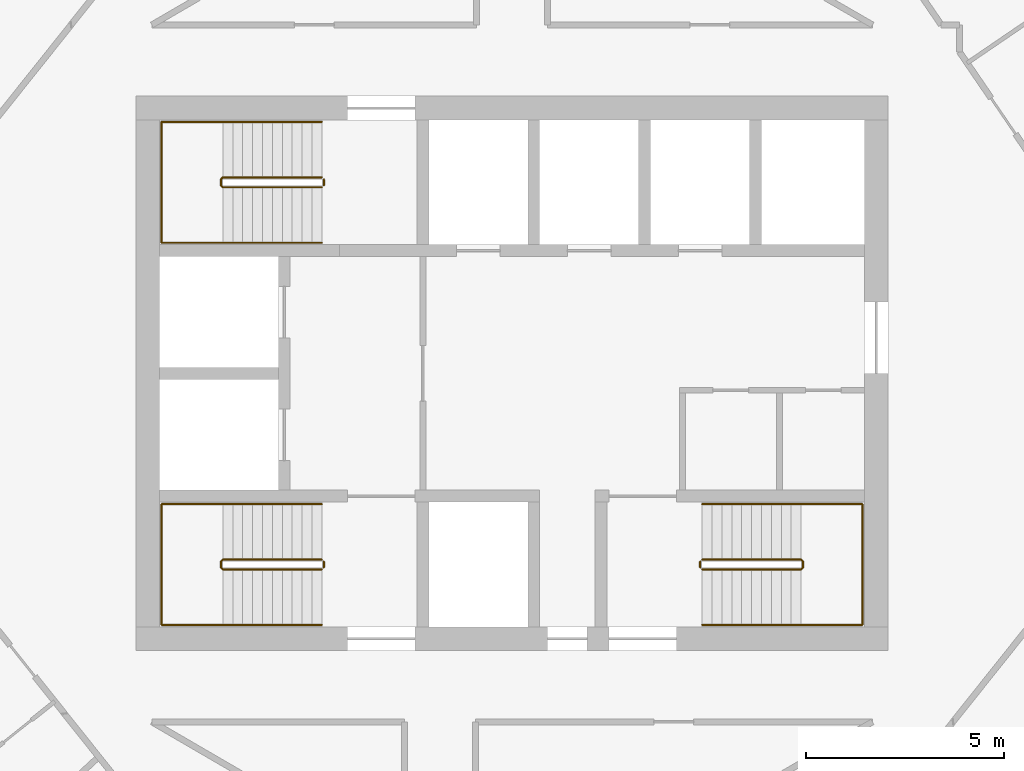
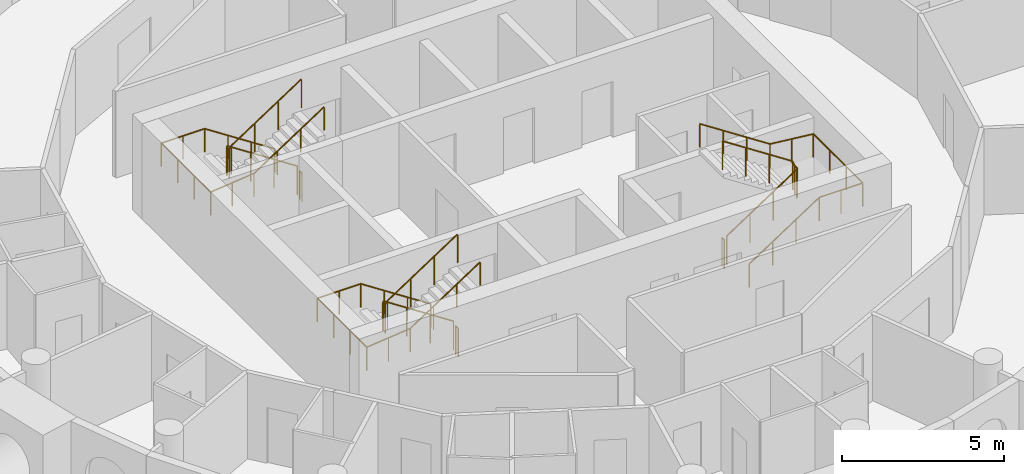
# One storey, part 12 of 12: 9 railings.
"""IFC4 building model written with IfcOpenShell, lengths in metres."""

from ifc_helpers import new_model, si_unit, direction, frame, origin, origin_2d, place, context, subcontext, project, spatial, circle, extrude, material, type_object, element, save


model = new_model("IFC4")

# Units and contexts
model_context = context("Model", 3, precision=1e-05, world=origin(), true_north=direction((0.0, 1.0)))
body_context = subcontext(model_context, "Body", "Model", "MODEL_VIEW")
ifc_project = project(units=[si_unit("LENGTHUNIT", "METRE"), si_unit("AREAUNIT", "SQUARE_METRE"), si_unit("VOLUMEUNIT", "CUBIC_METRE"), si_unit("PLANEANGLEUNIT", "RADIAN"), si_unit("MASSUNIT", "GRAM", prefix="KILO")], contexts=[model_context])

# Site, building, storey
site_placement = place(None, origin())
site = spatial("IfcSite", under=ifc_project, at=site_placement, CompositionType="ELEMENT")
building_placement = place(site_placement, origin())
building = spatial("IfcBuilding", under=site, at=building_placement, Name="Tracery Tower", CompositionType="ELEMENT")
storey_placement = place(building_placement, frame((0.0, 0.0, 283.800048828125)))
storey = spatial("IfcBuildingStorey", under=building, at=storey_placement, Name="L73", CompositionType="ELEMENT", Elevation=283.800048828125)

# Railings
ifc_material_1 = material(Name="Stainless steel and laminated glass", Category="steel")
railing_type_1 = type_object("IfcRailingType", Name="Stair guard 1100", PredefinedType="GUARDRAIL", material=ifc_material_1)
railing_1_placement = place(storey_placement, frame((-4.800048828125, -4.699951171875, 0.16357421875)))
element("IfcRailing", 1, at=railing_1_placement, inside=storey, type_object=railing_type_1, Name="L73 stair ST1 guard 1", PredefinedType="GUARDRAIL", context=body_context, shape_type="SweptSolid", body=[
    extrude(circle(Radius=0.02392578125, at=origin_2d()), frame((0.0, 0.0, 1.076171875), z_axis=(-0.83668449804, 0.0, 0.54768517484), x_axis=(0.0, -1.0, 0.0)), (0.0, 0.0, 1.0), 2.988037109375),
    extrude(circle(Radius=0.02392578125, at=origin_2d()), frame((-2.5, 0.0, 2.71240234375), z_axis=(-0.707106781187, -0.707106781187, 0.0), x_axis=(0.707106781187, -0.707106781187, 0.0)), (0.0, 0.0, 1.0), 0.07080078125),
    extrude(circle(Radius=0.02392578125, at=origin_2d()), frame((-2.550048828125, -0.050048828125, 2.71240234375), z_axis=(0.0, -1.0, 0.0), x_axis=(1.0, 0.0, 0.0)), (0.0, 0.0, 1.0), 0.14990234375),
    extrude(circle(Radius=0.02392578125, at=origin_2d()), frame((-2.550048828125, -0.199951171875, 2.71240234375), z_axis=(0.280808744504, -0.280808744504, 0.917765164963), x_axis=(0.707106781187, 0.707106781187, 0.0)), (0.0, 0.0, 1.0), 0.17822265625),
    extrude(circle(Radius=0.02392578125, at=origin_2d()), frame((-2.5, -0.25, 2.8759765625), z_axis=(0.836721939367, 0.0, 0.547627972425), x_axis=(0.0, 1.0, 0.0)), (0.0, 0.0, 1.0), 2.98779296875),
    extrude(circle(Radius=0.02099609375, at=origin_2d()), origin(), (0.0, 0.0, 1.0), 1.052001953125),
    extrude(circle(Radius=0.02099609375, at=origin_2d()), frame((-0.833251953125, 0.0, 0.54541015625)), (0.0, 0.0, 1.0), 1.052001953125),
    extrude(circle(Radius=0.02099609375, at=origin_2d()), frame((-1.666748046875, 0.0, 1.091064453125)), (0.0, 0.0, 1.0), 1.052001953125),
    extrude(circle(Radius=0.02099609375, at=origin_2d()), frame((-2.5, 0.0, 1.636474609375)), (0.0, 0.0, 1.0), 1.052001953125),
    extrude(circle(Radius=0.02099609375, at=origin_2d()), frame((-2.550048828125, -0.050048828125, 1.636474609375)), (0.0, 0.0, 1.0), 1.052001953125),
    extrude(circle(Radius=0.02099609375, at=origin_2d()), frame((-2.550048828125, -0.199951171875, 1.636474609375)), (0.0, 0.0, 1.0), 1.052001953125),
    extrude(circle(Radius=0.02099609375, at=origin_2d()), frame((-2.5, -0.25, 1.800048828125)), (0.0, 0.0, 1.0), 1.052001953125),
    extrude(circle(Radius=0.02099609375, at=origin_2d()), frame((-1.666748046875, -0.25, 2.345458984375)), (0.0, 0.0, 1.0), 1.052001953125),
    extrude(circle(Radius=0.02099609375, at=origin_2d()), frame((-0.833251953125, -0.25, 2.890869140625)), (0.0, 0.0, 1.0), 1.052001953125),
    extrude(circle(Radius=0.02099609375, at=origin_2d()), frame((0.0, -0.25, 3.436279296875)), (0.0, 0.0, 1.0), 1.052001953125),
])
railing_2_placement = place(storey_placement, frame((-4.75, -4.75, 0.0)))
element("IfcRailing", 2, at=railing_2_placement, inside=storey, type_object=railing_type_1, Name="L73 stair ST1 guard 2", PredefinedType="GUARDRAIL", context=body_context, shape_type="SweptSolid", body=[
    extrude(circle(Radius=0.02392578125, at=origin_2d()), frame((0.0, 0.0, 1.076171875), z_axis=(0.0, -1.0, 0.0), x_axis=(1.0, 0.0, 0.0)), (0.0, 0.0, 1.0), 0.14990234375),
    extrude(circle(Radius=0.02099609375, at=origin_2d()), origin(), (0.0, 0.0, 1.0), 1.052001953125),
    extrude(circle(Radius=0.02099609375, at=origin_2d()), frame((0.0, -0.14990234375, 0.0)), (0.0, 0.0, 1.0), 1.052001953125),
])
railing_3_placement = place(storey_placement, frame((-4.800048828125, 4.949951171875, 0.16357421875)))
element("IfcRailing", 3, at=railing_3_placement, inside=storey, type_object=railing_type_1, Name="L73 stair ST3 guard 1", PredefinedType="GUARDRAIL", context=body_context, shape_type="SweptSolid", body=[
    extrude(circle(Radius=0.02392578125, at=origin_2d()), frame((0.0, 0.0, 1.076171875), z_axis=(-0.83668449804, 0.0, 0.54768517484), x_axis=(0.0, -1.0, 0.0)), (0.0, 0.0, 1.0), 2.988037109375),
    extrude(circle(Radius=0.02392578125, at=origin_2d()), frame((-2.5, 0.0, 2.71240234375), z_axis=(-0.707106781187, -0.707106781187, 0.0), x_axis=(0.707106781187, -0.707106781187, 0.0)), (0.0, 0.0, 1.0), 0.07080078125),
    extrude(circle(Radius=0.02392578125, at=origin_2d()), frame((-2.550048828125, -0.050048828125, 2.71240234375), z_axis=(0.0, -1.0, 0.0), x_axis=(1.0, 0.0, 0.0)), (0.0, 0.0, 1.0), 0.14990234375),
    extrude(circle(Radius=0.02392578125, at=origin_2d()), frame((-2.550048828125, -0.199951171875, 2.71240234375), z_axis=(0.280808744504, -0.280808744504, 0.917765164963), x_axis=(0.707106781187, 0.707106781187, 0.0)), (0.0, 0.0, 1.0), 0.17822265625),
    extrude(circle(Radius=0.02392578125, at=origin_2d()), frame((-2.5, -0.25, 2.8759765625), z_axis=(0.836721939367, 0.0, 0.547627972425), x_axis=(0.0, 1.0, 0.0)), (0.0, 0.0, 1.0), 2.98779296875),
    extrude(circle(Radius=0.02099609375, at=origin_2d()), origin(), (0.0, 0.0, 1.0), 1.052001953125),
    extrude(circle(Radius=0.02099609375, at=origin_2d()), frame((-0.833251953125, 0.0, 0.54541015625)), (0.0, 0.0, 1.0), 1.052001953125),
    extrude(circle(Radius=0.02099609375, at=origin_2d()), frame((-1.666748046875, 0.0, 1.091064453125)), (0.0, 0.0, 1.0), 1.052001953125),
    extrude(circle(Radius=0.02099609375, at=origin_2d()), frame((-2.5, 0.0, 1.636474609375)), (0.0, 0.0, 1.0), 1.052001953125),
    extrude(circle(Radius=0.02099609375, at=origin_2d()), frame((-2.550048828125, -0.050048828125, 1.636474609375)), (0.0, 0.0, 1.0), 1.052001953125),
    extrude(circle(Radius=0.02099609375, at=origin_2d()), frame((-2.550048828125, -0.199951171875, 1.636474609375)), (0.0, 0.0, 1.0), 1.052001953125),
    extrude(circle(Radius=0.02099609375, at=origin_2d()), frame((-2.5, -0.25, 1.800048828125)), (0.0, 0.0, 1.0), 1.052001953125),
    extrude(circle(Radius=0.02099609375, at=origin_2d()), frame((-1.666748046875, -0.25, 2.345458984375)), (0.0, 0.0, 1.0), 1.052001953125),
    extrude(circle(Radius=0.02099609375, at=origin_2d()), frame((-0.833251953125, -0.25, 2.890869140625)), (0.0, 0.0, 1.0), 1.052001953125),
    extrude(circle(Radius=0.02099609375, at=origin_2d()), frame((0.0, -0.25, 3.436279296875)), (0.0, 0.0, 1.0), 1.052001953125),
])
railing_4_placement = place(storey_placement, frame((-4.75, 4.89990234375, 0.0)))
element("IfcRailing", 4, at=railing_4_placement, inside=storey, type_object=railing_type_1, Name="L73 stair ST3 guard 2", PredefinedType="GUARDRAIL", context=body_context, shape_type="SweptSolid", body=[
    extrude(circle(Radius=0.02392578125, at=origin_2d()), frame((0.0, 0.0, 1.076171875), z_axis=(0.0, -1.0, 0.0), x_axis=(1.0, 0.0, 0.0)), (0.0, 0.0, 1.0), 0.14990234375),
    extrude(circle(Radius=0.02099609375, at=origin_2d()), origin(), (0.0, 0.0, 1.0), 1.052001953125),
    extrude(circle(Radius=0.02099609375, at=origin_2d()), frame((0.0, -0.14990234375, 0.0)), (0.0, 0.0, 1.0), 1.052001953125),
])
railing_5_placement = place(storey_placement, frame((4.800048828125, -4.949951171875, 0.16357421875)))
element("IfcRailing", 5, at=railing_5_placement, inside=storey, type_object=railing_type_1, Name="L73 stair ST2 guard 1", PredefinedType="GUARDRAIL", context=body_context, shape_type="SweptSolid", body=[
    extrude(circle(Radius=0.02392578125, at=origin_2d()), frame((0.0, 0.0, 1.076171875), z_axis=(0.83668449804, 0.0, 0.54768517484), x_axis=(0.0, 1.0, 0.0)), (0.0, 0.0, 1.0), 2.988037109375),
    extrude(circle(Radius=0.02392578125, at=origin_2d()), frame((2.5, 0.0, 2.71240234375), z_axis=(0.707106781187, 0.707106781187, 0.0), x_axis=(-0.707106781187, 0.707106781187, 0.0)), (0.0, 0.0, 1.0), 0.07080078125),
    extrude(circle(Radius=0.02392578125, at=origin_2d()), frame((2.550048828125, 0.050048828125, 2.71240234375), z_axis=(0.0, 1.0, 0.0), x_axis=(-1.0, 0.0, 0.0)), (0.0, 0.0, 1.0), 0.14990234375),
    extrude(circle(Radius=0.02392578125, at=origin_2d()), frame((2.550048828125, 0.199951171875, 2.71240234375), z_axis=(-0.280808744504, 0.280808744504, 0.917765164963), x_axis=(-0.707106781187, -0.707106781187, 0.0)), (0.0, 0.0, 1.0), 0.17822265625),
    extrude(circle(Radius=0.02392578125, at=origin_2d()), frame((2.5, 0.25, 2.8759765625), z_axis=(-0.836721939367, 0.0, 0.547627972425), x_axis=(0.0, -1.0, 0.0)), (0.0, 0.0, 1.0), 2.98779296875),
    extrude(circle(Radius=0.02099609375, at=origin_2d()), origin(), (0.0, 0.0, 1.0), 1.052001953125),
    extrude(circle(Radius=0.02099609375, at=origin_2d()), frame((0.833251953125, 0.0, 0.54541015625)), (0.0, 0.0, 1.0), 1.052001953125),
    extrude(circle(Radius=0.02099609375, at=origin_2d()), frame((1.666748046875, 0.0, 1.091064453125)), (0.0, 0.0, 1.0), 1.052001953125),
    extrude(circle(Radius=0.02099609375, at=origin_2d()), frame((2.5, 0.0, 1.636474609375)), (0.0, 0.0, 1.0), 1.052001953125),
    extrude(circle(Radius=0.02099609375, at=origin_2d()), frame((2.550048828125, 0.050048828125, 1.636474609375)), (0.0, 0.0, 1.0), 1.052001953125),
    extrude(circle(Radius=0.02099609375, at=origin_2d()), frame((2.550048828125, 0.199951171875, 1.636474609375)), (0.0, 0.0, 1.0), 1.052001953125),
    extrude(circle(Radius=0.02099609375, at=origin_2d()), frame((2.5, 0.25, 1.800048828125)), (0.0, 0.0, 1.0), 1.052001953125),
    extrude(circle(Radius=0.02099609375, at=origin_2d()), frame((1.666748046875, 0.25, 2.345458984375)), (0.0, 0.0, 1.0), 1.052001953125),
    extrude(circle(Radius=0.02099609375, at=origin_2d()), frame((0.833251953125, 0.25, 2.890869140625)), (0.0, 0.0, 1.0), 1.052001953125),
    extrude(circle(Radius=0.02099609375, at=origin_2d()), frame((0.0, 0.25, 3.436279296875)), (0.0, 0.0, 1.0), 1.052001953125),
])
railing_6_placement = place(storey_placement, frame((4.75, -4.89990234375, 0.0)))
element("IfcRailing", 6, at=railing_6_placement, inside=storey, type_object=railing_type_1, Name="L73 stair ST2 guard 2", PredefinedType="GUARDRAIL", context=body_context, shape_type="SweptSolid", body=[
    extrude(circle(Radius=0.02392578125, at=origin_2d()), frame((0.0, 0.0, 1.076171875), z_axis=(0.0, 1.0, 0.0), x_axis=(-1.0, 0.0, 0.0)), (0.0, 0.0, 1.0), 0.14990234375),
    extrude(circle(Radius=0.02099609375, at=origin_2d()), origin(), (0.0, 0.0, 1.0), 1.052001953125),
    extrude(circle(Radius=0.02099609375, at=origin_2d()), frame((0.0, 0.14990234375, 0.0)), (0.0, 0.0, 1.0), 1.052001953125),
])
ifc_material_2 = material(Name="Stainless steel and laminated glass", Category="steel")
railing_type_2 = type_object("IfcRailingType", Name="Stair handrail 900", PredefinedType="HANDRAIL", material=ifc_material_2)
railing_7_placement = place(storey_placement, frame((-4.800048828125, -3.300048828125, 0.16357421875)))
element("IfcRailing", 7, at=railing_7_placement, inside=storey, type_object=railing_type_2, Name="L73 stair ST1 handrail 1", PredefinedType="HANDRAIL", context=body_context, shape_type="SweptSolid", body=[
    extrude(circle(Radius=0.02392578125, at=origin_2d()), frame((0.0, 0.0, 0.8759765625), z_axis=(-0.83668449804, 0.0, 0.54768517484), x_axis=(0.0, -1.0, 0.0)), (0.0, 0.0, 1.0), 2.988037109375),
    extrude(circle(Radius=0.02392578125, at=origin_2d()), frame((-2.5, 0.0, 2.51220703125), z_axis=(-1.0, 0.0, 0.0), x_axis=(0.0, -1.0, 0.0)), (0.0, 0.0, 1.0), 1.550048828125),
    extrude(circle(Radius=0.02392578125, at=origin_2d()), frame((-4.050048828125, 0.0, 2.51220703125), z_axis=(0.0, -1.0, 0.0), x_axis=(1.0, 0.0, 0.0)), (0.0, 0.0, 1.0), 3.050048828125),
    extrude(circle(Radius=0.02392578125, at=origin_2d()), frame((-4.050048828125, -3.050048828125, 2.51220703125), z_axis=(0.994477953863, 0.0, 0.104945696817), x_axis=(0.0, 1.0, 0.0)), (0.0, 0.0, 1.0), 1.55859375),
    extrude(circle(Radius=0.02392578125, at=origin_2d()), frame((-2.5, -3.050048828125, 2.67578125), z_axis=(0.836721939367, 0.0, 0.547627972425), x_axis=(0.0, 1.0, 0.0)), (0.0, 0.0, 1.0), 2.98779296875),
    extrude(circle(Radius=0.02099609375, at=origin_2d()), origin(), (0.0, 0.0, 1.0), 0.851806640625),
    extrude(circle(Radius=0.02099609375, at=origin_2d()), frame((-0.833251953125, 0.0, 0.54541015625)), (0.0, 0.0, 1.0), 0.851806640625),
    extrude(circle(Radius=0.02099609375, at=origin_2d()), frame((-1.666748046875, 0.0, 1.091064453125)), (0.0, 0.0, 1.0), 0.851806640625),
    extrude(circle(Radius=0.02099609375, at=origin_2d()), frame((-2.5, 0.0, 1.636474609375)), (0.0, 0.0, 1.0), 0.851806640625),
    extrude(circle(Radius=0.02099609375, at=origin_2d()), frame((-3.27490234375, 0.0, 1.636474609375)), (0.0, 0.0, 1.0), 0.851806640625),
    extrude(circle(Radius=0.02099609375, at=origin_2d()), frame((-4.050048828125, 0.0, 1.636474609375)), (0.0, 0.0, 1.0), 0.851806640625),
    extrude(circle(Radius=0.02099609375, at=origin_2d()), frame((-4.050048828125, -1.0166015625, 1.636474609375)), (0.0, 0.0, 1.0), 0.851806640625),
    extrude(circle(Radius=0.02099609375, at=origin_2d()), frame((-4.050048828125, -2.033447265625, 1.636474609375)), (0.0, 0.0, 1.0), 0.851806640625),
    extrude(circle(Radius=0.02099609375, at=origin_2d()), frame((-4.050048828125, -3.050048828125, 1.636474609375)), (0.0, 0.0, 1.0), 0.851806640625),
    extrude(circle(Radius=0.02099609375, at=origin_2d()), frame((-3.27490234375, -3.050048828125, 1.71826171875)), (0.0, 0.0, 1.0), 0.851806640625),
    extrude(circle(Radius=0.02099609375, at=origin_2d()), frame((-2.5, -3.050048828125, 1.800048828125)), (0.0, 0.0, 1.0), 0.851806640625),
    extrude(circle(Radius=0.02099609375, at=origin_2d()), frame((-1.666748046875, -3.050048828125, 2.345458984375)), (0.0, 0.0, 1.0), 0.851806640625),
    extrude(circle(Radius=0.02099609375, at=origin_2d()), frame((-0.833251953125, -3.050048828125, 2.890869140625)), (0.0, 0.0, 1.0), 0.851806640625),
    extrude(circle(Radius=0.02099609375, at=origin_2d()), frame((0.0, -3.050048828125, 3.436279296875)), (0.0, 0.0, 1.0), 0.851806640625),
])
railing_8_placement = place(storey_placement, frame((-4.800048828125, 6.35009765625, 0.16357421875)))
element("IfcRailing", 8, at=railing_8_placement, inside=storey, type_object=railing_type_2, Name="L73 stair ST3 handrail 1", PredefinedType="HANDRAIL", context=body_context, shape_type="SweptSolid", body=[
    extrude(circle(Radius=0.02392578125, at=origin_2d()), frame((0.0, 0.0, 0.8759765625), z_axis=(-0.83668449804, 0.0, 0.54768517484), x_axis=(0.0, -1.0, 0.0)), (0.0, 0.0, 1.0), 2.988037109375),
    extrude(circle(Radius=0.02392578125, at=origin_2d()), frame((-2.5, 0.0, 2.51220703125), z_axis=(-1.0, 0.0, 0.0), x_axis=(0.0, -1.0, 0.0)), (0.0, 0.0, 1.0), 1.550048828125),
    extrude(circle(Radius=0.02392578125, at=origin_2d()), frame((-4.050048828125, 0.0, 2.51220703125), z_axis=(0.0, -1.0, 0.0), x_axis=(1.0, 0.0, 0.0)), (0.0, 0.0, 1.0), 3.050048828125),
    extrude(circle(Radius=0.02392578125, at=origin_2d()), frame((-4.050048828125, -3.050048828125, 2.51220703125), z_axis=(0.994477953863, 0.0, 0.104945696817), x_axis=(0.0, 1.0, 0.0)), (0.0, 0.0, 1.0), 1.55859375),
    extrude(circle(Radius=0.02392578125, at=origin_2d()), frame((-2.5, -3.050048828125, 2.67578125), z_axis=(0.836721939367, 0.0, 0.547627972425), x_axis=(0.0, 1.0, 0.0)), (0.0, 0.0, 1.0), 2.98779296875),
    extrude(circle(Radius=0.02099609375, at=origin_2d()), origin(), (0.0, 0.0, 1.0), 0.851806640625),
    extrude(circle(Radius=0.02099609375, at=origin_2d()), frame((-0.833251953125, 0.0, 0.54541015625)), (0.0, 0.0, 1.0), 0.851806640625),
    extrude(circle(Radius=0.02099609375, at=origin_2d()), frame((-1.666748046875, 0.0, 1.091064453125)), (0.0, 0.0, 1.0), 0.851806640625),
    extrude(circle(Radius=0.02099609375, at=origin_2d()), frame((-2.5, 0.0, 1.636474609375)), (0.0, 0.0, 1.0), 0.851806640625),
    extrude(circle(Radius=0.02099609375, at=origin_2d()), frame((-3.27490234375, 0.0, 1.636474609375)), (0.0, 0.0, 1.0), 0.851806640625),
    extrude(circle(Radius=0.02099609375, at=origin_2d()), frame((-4.050048828125, 0.0, 1.636474609375)), (0.0, 0.0, 1.0), 0.851806640625),
    extrude(circle(Radius=0.02099609375, at=origin_2d()), frame((-4.050048828125, -1.0166015625, 1.636474609375)), (0.0, 0.0, 1.0), 0.851806640625),
    extrude(circle(Radius=0.02099609375, at=origin_2d()), frame((-4.050048828125, -2.033447265625, 1.636474609375)), (0.0, 0.0, 1.0), 0.851806640625),
    extrude(circle(Radius=0.02099609375, at=origin_2d()), frame((-4.050048828125, -3.050048828125, 1.636474609375)), (0.0, 0.0, 1.0), 0.851806640625),
    extrude(circle(Radius=0.02099609375, at=origin_2d()), frame((-3.27490234375, -3.050048828125, 1.71826171875)), (0.0, 0.0, 1.0), 0.851806640625),
    extrude(circle(Radius=0.02099609375, at=origin_2d()), frame((-2.5, -3.050048828125, 1.800048828125)), (0.0, 0.0, 1.0), 0.851806640625),
    extrude(circle(Radius=0.02099609375, at=origin_2d()), frame((-1.666748046875, -3.050048828125, 2.345458984375)), (0.0, 0.0, 1.0), 0.851806640625),
    extrude(circle(Radius=0.02099609375, at=origin_2d()), frame((-0.833251953125, -3.050048828125, 2.890869140625)), (0.0, 0.0, 1.0), 0.851806640625),
    extrude(circle(Radius=0.02099609375, at=origin_2d()), frame((0.0, -3.050048828125, 3.436279296875)), (0.0, 0.0, 1.0), 0.851806640625),
])
railing_9_placement = place(storey_placement, frame((4.800048828125, -6.35009765625, 0.16357421875)))
element("IfcRailing", 9, at=railing_9_placement, inside=storey, type_object=railing_type_2, Name="L73 stair ST2 handrail 1", PredefinedType="HANDRAIL", context=body_context, shape_type="SweptSolid", body=[
    extrude(circle(Radius=0.02392578125, at=origin_2d()), frame((0.0, 0.0, 0.8759765625), z_axis=(0.83668449804, 0.0, 0.54768517484), x_axis=(0.0, 1.0, 0.0)), (0.0, 0.0, 1.0), 2.988037109375),
    extrude(circle(Radius=0.02392578125, at=origin_2d()), frame((2.5, 0.0, 2.51220703125), z_axis=(1.0, 0.0, 0.0), x_axis=(0.0, 1.0, 0.0)), (0.0, 0.0, 1.0), 1.550048828125),
    extrude(circle(Radius=0.02392578125, at=origin_2d()), frame((4.050048828125, 0.0, 2.51220703125), z_axis=(0.0, 1.0, 0.0), x_axis=(-1.0, 0.0, 0.0)), (0.0, 0.0, 1.0), 3.050048828125),
    extrude(circle(Radius=0.02392578125, at=origin_2d()), frame((4.050048828125, 3.050048828125, 2.51220703125), z_axis=(-0.994477953863, 0.0, 0.104945696817), x_axis=(0.0, -1.0, 0.0)), (0.0, 0.0, 1.0), 1.55859375),
    extrude(circle(Radius=0.02392578125, at=origin_2d()), frame((2.5, 3.050048828125, 2.67578125), z_axis=(-0.836721939367, 0.0, 0.547627972425), x_axis=(0.0, -1.0, 0.0)), (0.0, 0.0, 1.0), 2.98779296875),
    extrude(circle(Radius=0.02099609375, at=origin_2d()), origin(), (0.0, 0.0, 1.0), 0.851806640625),
    extrude(circle(Radius=0.02099609375, at=origin_2d()), frame((0.833251953125, 0.0, 0.54541015625)), (0.0, 0.0, 1.0), 0.851806640625),
    extrude(circle(Radius=0.02099609375, at=origin_2d()), frame((1.666748046875, 0.0, 1.091064453125)), (0.0, 0.0, 1.0), 0.851806640625),
    extrude(circle(Radius=0.02099609375, at=origin_2d()), frame((2.5, 0.0, 1.636474609375)), (0.0, 0.0, 1.0), 0.851806640625),
    extrude(circle(Radius=0.02099609375, at=origin_2d()), frame((3.27490234375, 0.0, 1.636474609375)), (0.0, 0.0, 1.0), 0.851806640625),
    extrude(circle(Radius=0.02099609375, at=origin_2d()), frame((4.050048828125, 0.0, 1.636474609375)), (0.0, 0.0, 1.0), 0.851806640625),
    extrude(circle(Radius=0.02099609375, at=origin_2d()), frame((4.050048828125, 1.0166015625, 1.636474609375)), (0.0, 0.0, 1.0), 0.851806640625),
    extrude(circle(Radius=0.02099609375, at=origin_2d()), frame((4.050048828125, 2.033447265625, 1.636474609375)), (0.0, 0.0, 1.0), 0.851806640625),
    extrude(circle(Radius=0.02099609375, at=origin_2d()), frame((4.050048828125, 3.050048828125, 1.636474609375)), (0.0, 0.0, 1.0), 0.851806640625),
    extrude(circle(Radius=0.02099609375, at=origin_2d()), frame((3.27490234375, 3.050048828125, 1.71826171875)), (0.0, 0.0, 1.0), 0.851806640625),
    extrude(circle(Radius=0.02099609375, at=origin_2d()), frame((2.5, 3.050048828125, 1.800048828125)), (0.0, 0.0, 1.0), 0.851806640625),
    extrude(circle(Radius=0.02099609375, at=origin_2d()), frame((1.666748046875, 3.050048828125, 2.345458984375)), (0.0, 0.0, 1.0), 0.851806640625),
    extrude(circle(Radius=0.02099609375, at=origin_2d()), frame((0.833251953125, 3.050048828125, 2.890869140625)), (0.0, 0.0, 1.0), 0.851806640625),
    extrude(circle(Radius=0.02099609375, at=origin_2d()), frame((0.0, 3.050048828125, 3.436279296875)), (0.0, 0.0, 1.0), 0.851806640625),
])

save(model, "model.ifc")
